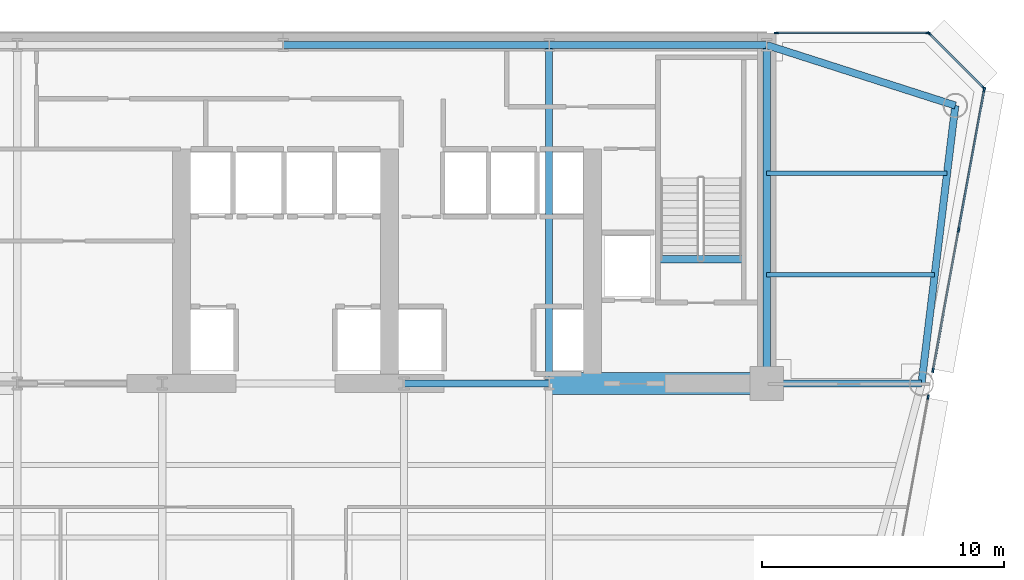
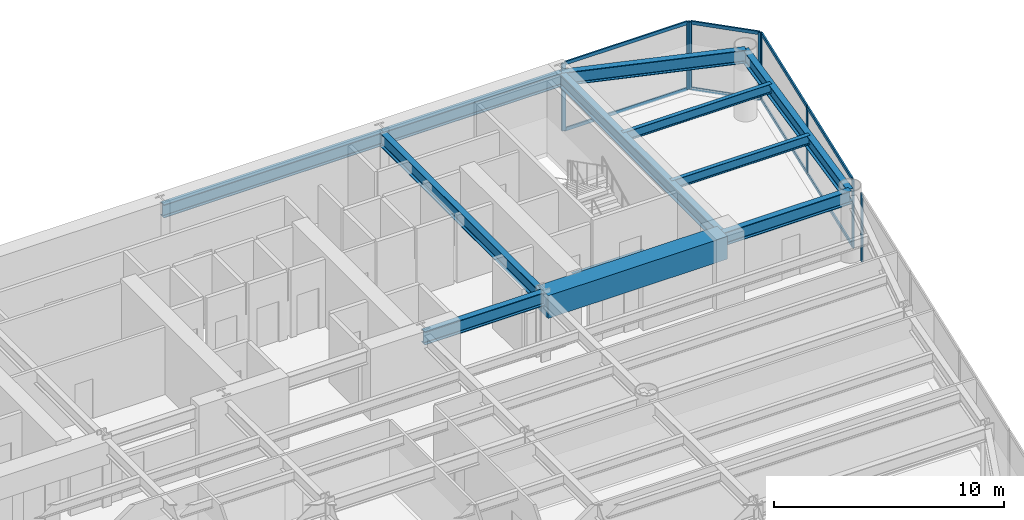
# One storey, part 6 of 14: 16 members, 12 beams, 4 elements without a shape of their own.
"""IFC4 building model written with IfcOpenShell, lengths in metres."""

from ifc_helpers import new_model, si_unit, direction, frame, origin, origin_2d, place, context, subcontext, project, spatial, rectangle, i_section, extrude, source, transform, mapped, material, layer, layer_set, material_profile, profile_set, type_object, element, aggregate, save


model = new_model("IFC4")

# Units and contexts
model_context = context("Model", 3, precision=1e-05, world=origin(), true_north=direction((0.0, 1.0)))
body_context = subcontext(model_context, "Body", "Model", "MODEL_VIEW")
ifc_project = project(units=[si_unit("LENGTHUNIT", "METRE"), si_unit("AREAUNIT", "SQUARE_METRE"), si_unit("VOLUMEUNIT", "CUBIC_METRE"), si_unit("PLANEANGLEUNIT", "RADIAN"), si_unit("MASSUNIT", "GRAM", prefix="KILO")], contexts=[model_context])

# Site, building, storey
site_placement = place(None, origin())
site = spatial("IfcSite", under=ifc_project, at=site_placement, CompositionType="ELEMENT")
building_placement = place(site_placement, origin())
building = spatial("IfcBuilding", under=site, at=building_placement, Name="Vaeldorn Concourse Tower", CompositionType="ELEMENT")
storey_placement = place(building_placement, frame((0.0, 0.0, 107.199951171875)))
storey = spatial("IfcBuildingStorey", under=building, at=storey_placement, Name="L27", CompositionType="ELEMENT", Elevation=107.199951171875)

# Beams
ifc_material_1 = material(Name="Concrete C60/75", Category="concrete")
ifc_material_profile_1 = material_profile(ifc_material_1, rectangle(XDim=0.89990234375, YDim=1.199951171875, at=origin_2d()), Name="RC 900x1200")
ifc_profile_set_1 = profile_set([ifc_material_profile_1], Name="Concrete C60/75")
beam_type_1 = type_object("IfcBeamType", Name="BM-CB-RC900", PredefinedType="BEAM", material=ifc_profile_set_1)
shared_shape_1 = source(origin(), body_context, "Body", "SweptSolid", [
    extrude(rectangle(XDim=0.89990234375, YDim=1.199951171875, at=origin_2d()), origin(), (0.0, 0.0, 1.0), 9.0),
])
beam_1_placement = place(storey_placement, frame((45.0, 36.5, 2.97998046875), z_axis=(1.0, 0.0, 0.0), x_axis=(0.0, 1.0, 0.0)))
element("IfcBeam", 1, at=beam_1_placement, inside=storey, type_object=beam_type_1, Name="Core Coupling Beam L27-2", PredefinedType="BEAM", context=body_context, shape_type="MappedRepresentation", body=[
    mapped(shared_shape_1, transform((0.0, 0.0, 0.0), scale=1.0)),
])
ifc_material_2 = material(Name="Steel S355", Category="steel")
ifc_material_profile_2 = material_profile(ifc_material_2, i_section(OverallWidth=0.300048828125, OverallDepth=0.340087890625, WebThickness=0.011962890625, FlangeThickness=0.021484375, FilletRadius=0.027099609375, at=origin_2d()), Name="HEB 340")
ifc_profile_set_2 = profile_set([ifc_material_profile_2], Name="Steel S355")
beam_type_2 = type_object("IfcBeamType", Name="BM-ST-TRIM", PredefinedType="BEAM", material=ifc_profile_set_2)
shared_shape_2 = source(origin(), body_context, "Body", "SweptSolid", [
    extrude(i_section(OverallWidth=0.300048828125, OverallDepth=0.340087890625, WebThickness=0.011962890625, FlangeThickness=0.021484375, FilletRadius=0.027099609375, at=origin_2d()), origin(), (0.0, 0.0, 1.0), 3.590087890625),
])
beam_2_placement = place(storey_placement, frame((49.47998046875, 41.639892578125, -0.389892578125), z_axis=(1.0, 0.0, 0.0), x_axis=(0.0, 1.0, 0.0)))
element("IfcBeam", 2, at=beam_2_placement, inside=storey, type_object=beam_type_2, Name="Stair Landing Trimmer Beam ST-2 L27", PredefinedType="BEAM", context=body_context, shape_type="MappedRepresentation", body=[
    mapped(shared_shape_2, transform((0.0, 0.0, 0.0), scale=1.0)),
])
ifc_material_profile_3 = material_profile(ifc_material_2, i_section(OverallWidth=0.199951171875, OverallDepth=0.5, WebThickness=0.01025390625, FlangeThickness=0.01611328125, FilletRadius=0.02099609375, at=origin_2d()), Name="IPE 500")
ifc_profile_set_3 = profile_set([ifc_material_profile_3], Name="Steel S355")
beam_type_3 = type_object("IfcBeamType", Name="BM-JS-IPE500", PredefinedType="JOIST", material=ifc_profile_set_3)
shared_shape_3 = source(origin(), body_context, "Body", "SweptSolid", [
    extrude(i_section(OverallWidth=0.199951171875, OverallDepth=0.5, WebThickness=0.01025390625, FlangeThickness=0.01611328125, FilletRadius=0.02099609375, at=origin_2d()), origin(), (0.0, 0.0, 1.0), 6.94775390625),
])
beam_3_placement = place(storey_placement, frame((54.0, 41.0, 3.330078125), z_axis=(1.0, 0.0, 0.0), x_axis=(0.0, 1.0, 0.0)))
element("IfcBeam", 3, at=beam_3_placement, inside=storey, type_object=beam_type_3, Name="Beam JS-L27-NE-410", PredefinedType="JOIST", context=body_context, shape_type="MappedRepresentation", body=[
    mapped(shared_shape_3, transform((0.0, 0.0, 0.0), scale=1.0)),
])
shared_shape_4 = source(origin(), body_context, "Body", "SweptSolid", [
    extrude(i_section(OverallWidth=0.199951171875, OverallDepth=0.5, WebThickness=0.01025390625, FlangeThickness=0.01611328125, FilletRadius=0.02099609375, at=origin_2d()), origin(), (0.0, 0.0, 1.0), 7.458984375),
])
beam_4_placement = place(storey_placement, frame((54.0, 45.199951171875, 3.330078125), z_axis=(1.0, 0.0, 0.0), x_axis=(0.0, 1.0, 0.0)))
element("IfcBeam", 4, at=beam_4_placement, inside=storey, type_object=beam_type_3, Name="Beam JS-L27-NE-452", PredefinedType="JOIST", context=body_context, shape_type="MappedRepresentation", body=[
    mapped(shared_shape_4, transform((0.0, 0.0, 0.0), scale=1.0)),
])
ifc_material_profile_4 = material_profile(ifc_material_2, i_section(OverallWidth=0.300048828125, OverallDepth=0.699951171875, WebThickness=0.01708984375, FlangeThickness=0.031982421875, FilletRadius=0.027099609375, at=origin_2d()), Name="HEB 700")
ifc_profile_set_4 = profile_set([ifc_material_profile_4], Name="Steel S355")
beam_type_4 = type_object("IfcBeamType", Name="BM-PG-HEB700", PredefinedType="BEAM", material=ifc_profile_set_4)
shared_shape_5 = source(origin(), body_context, "Body", "SweptSolid", [
    extrude(i_section(OverallWidth=0.300048828125, OverallDepth=0.699951171875, WebThickness=0.01708984375, FlangeThickness=0.031982421875, FilletRadius=0.027099609375, at=origin_2d()), origin(), (0.0, 0.0, 1.0), 6.0),
])
beam_5_placement = place(storey_placement, frame((39.0, 36.5, 3.22998046875), z_axis=(1.0, 0.0, 0.0), x_axis=(0.0, 1.0, 0.0)))
element("IfcBeam", 5, at=beam_5_placement, inside=storey, type_object=beam_type_4, Name="Beam BM-L27-C-FC4-C-FC5", PredefinedType="BEAM", context=body_context, shape_type="MappedRepresentation", body=[
    mapped(shared_shape_5, transform((0.0, 0.0, 0.0), scale=1.0)),
])
shared_shape_6 = source(origin(), body_context, "Body", "SweptSolid", [
    extrude(i_section(OverallWidth=0.300048828125, OverallDepth=0.699951171875, WebThickness=0.01708984375, FlangeThickness=0.031982421875, FilletRadius=0.027099609375, at=origin_2d()), origin(), (0.0, 0.0, 1.0), 9.0),
])
beam_6_placement = place(storey_placement, frame((45.0, 50.5, 3.22998046875), z_axis=(1.0, 0.0, 0.0), x_axis=(0.0, 1.0, 0.0)))
element("IfcBeam", 6, at=beam_6_placement, inside=storey, type_object=beam_type_4, Name="Beam BM-L27-C-HC4-C-HC5", PredefinedType="BEAM", context=body_context, shape_type="MappedRepresentation", body=[
    mapped(shared_shape_6, transform((0.0, 0.0, 0.0), scale=1.0)),
])
shared_shape_7 = source(origin(), body_context, "Body", "SweptSolid", [
    extrude(i_section(OverallWidth=0.300048828125, OverallDepth=0.699951171875, WebThickness=0.01708984375, FlangeThickness=0.031982421875, FilletRadius=0.027099609375, at=origin_2d()), origin(), (0.0, 0.0, 1.0), 11.0),
])
beam_7_placement = place(storey_placement, frame((34.0, 50.5, 3.22998046875), z_axis=(1.0, 0.0, 0.0), x_axis=(0.0, 1.0, 0.0)))
element("IfcBeam", 7, at=beam_7_placement, inside=storey, type_object=beam_type_4, Name="Beam BM-L27-C-HC3-C-HC4", PredefinedType="BEAM", context=body_context, shape_type="MappedRepresentation", body=[
    mapped(shared_shape_7, transform((0.0, 0.0, 0.0), scale=1.0)),
])
shared_shape_8 = source(origin(), body_context, "Body", "SweptSolid", [
    extrude(i_section(OverallWidth=0.300048828125, OverallDepth=0.699951171875, WebThickness=0.01708984375, FlangeThickness=0.031982421875, FilletRadius=0.027099609375, at=origin_2d()), origin(), (0.0, 0.0, 1.0), 14.0),
])
for number, where, z_axis, x_axis, name in (
    (8, (45.0, 36.5, 3.22998046875), (0.0, 1.0, 0.0), (-1.0, 0.0, 0.0), "Beam BM-L27-C-FC5-C-HC4"),
    (9, (54.0, 36.5, 3.22998046875), (0.0, 1.0, 0.0), (-1.0, 0.0, 0.0), "Beam BM-L27-C-FC6-C-HC5"),
):
    element("IfcBeam", number, at=place(storey_placement, frame(where, z_axis=z_axis, x_axis=x_axis)), inside=storey, type_object=beam_type_4, Name=name, PredefinedType="BEAM", context=body_context, shape_type="MappedRepresentation", body=[
        mapped(shared_shape_8, transform((0.0, 0.0, 0.0), scale=1.0)),
    ])
shared_shape_9 = source(origin(), body_context, "Body", "SweptSolid", [
    extrude(i_section(OverallWidth=0.300048828125, OverallDepth=0.699951171875, WebThickness=0.01708984375, FlangeThickness=0.031982421875, FilletRadius=0.027099609375, at=origin_2d()), origin(), (0.0, 0.0, 1.0), 8.19091796875),
])
beam_8_placement = place(storey_placement, frame((54.0, 50.5, 3.22998046875), z_axis=(0.952282843383, -0.305216949396, 0.0), x_axis=(0.305216949396, 0.952282843383, 0.0)))
element("IfcBeam", 10, at=beam_8_placement, inside=storey, type_object=beam_type_4, Name="Beam BM-L27-C-HC5-C-NE1", PredefinedType="BEAM", context=body_context, shape_type="MappedRepresentation", body=[
    mapped(shared_shape_9, transform((0.0, 0.0, 0.0), scale=1.0)),
])
shared_shape_10 = source(origin(), body_context, "Body", "SweptSolid", [
    extrude(i_section(OverallWidth=0.300048828125, OverallDepth=0.699951171875, WebThickness=0.01708984375, FlangeThickness=0.031982421875, FilletRadius=0.027099609375, at=origin_2d()), origin(), (0.0, 0.0, 1.0), 11.5849609375),
])
beam_9_placement = place(storey_placement, frame((61.800048828125, 48.0, 3.22998046875), z_axis=(-0.120859382899, -0.992669637677, 0.0), x_axis=(0.992669637677, -0.120859382899, 0.0)))
element("IfcBeam", 11, at=beam_9_placement, inside=storey, type_object=beam_type_4, Name="Beam BM-L27-C-NE1-C-NE2", PredefinedType="BEAM", context=body_context, shape_type="MappedRepresentation", body=[
    mapped(shared_shape_10, transform((0.0, 0.0, 0.0), scale=1.0)),
])
shared_shape_11 = source(origin(), body_context, "Body", "SweptSolid", [
    extrude(i_section(OverallWidth=0.300048828125, OverallDepth=0.699951171875, WebThickness=0.01708984375, FlangeThickness=0.031982421875, FilletRadius=0.027099609375, at=origin_2d()), origin(), (0.0, 0.0, 1.0), 6.39990234375),
])
beam_10_placement = place(storey_placement, frame((54.0, 36.5, 3.22998046875), z_axis=(1.0, 0.0, 0.0), x_axis=(0.0, 1.0, 0.0)))
element("IfcBeam", 12, at=beam_10_placement, inside=storey, type_object=beam_type_4, Name="Beam BM-L27-C-FC6-C-NE2", PredefinedType="BEAM", context=body_context, shape_type="MappedRepresentation", body=[
    mapped(shared_shape_11, transform((0.0, 0.0, 0.0), scale=1.0)),
])

# Curtain wall, members
ifc_material_3 = material(Name="Anodised Bronze Aluminium", Category="aluminium")
ifc_layer = layer(ifc_material_3, 0.199951171875)
ifc_layer_set = layer_set([ifc_layer], Name="Anodised Bronze Aluminium")
curtain_wall_type = type_object("IfcCurtainWallType", Name="CW-SYS-02", PredefinedType="NOTDEFINED", material=ifc_layer_set)
curtain_wall_1_placement = place(storey_placement, origin())
curtain_wall_1 = element("IfcCurtainWall", 13, at=curtain_wall_1_placement, inside=storey, type_object=curtain_wall_type, Name="Unitised Curtain Wall CW-L27-E08-1", PredefinedType="NOTDEFINED")
ifc_material_profile_5 = material_profile(ifc_material_3, rectangle(XDim=0.074951171875, YDim=0.179931640625, at=origin_2d()), Name="CWT 75x180")
ifc_profile_set_5 = profile_set([ifc_material_profile_5], Name="Anodised Bronze Aluminium")
member_type_1 = type_object("IfcMemberType", Name="CWT-BRONZE-180", PredefinedType="USERDEFINED", material=ifc_profile_set_5)
shared_shape_12 = source(origin(), body_context, "Body", "SweptSolid", [
    extrude(rectangle(XDim=0.074951171875, YDim=0.179931640625, at=origin_2d()), origin(), (0.0, 0.0, 1.0), 3.10302734375),
])
member_1_placement = place(storey_placement, frame((62.947021484375, 48.7529296875, 0.03759765625), z_axis=(-0.707106781187, 0.707106781187, 0.0), x_axis=(-0.707106781187, -0.707106781187, 0.0)))
member_1 = element("IfcMember", 14, at=member_1_placement, type_object=member_type_1, Name="CW-02 transom 1.1", ObjectType="TRANSOM", PredefinedType="USERDEFINED", context=body_context, shape_type="MappedRepresentation", body=[
    mapped(shared_shape_12, transform((0.0, 0.0, 0.0), scale=1.0)),
])
member_2_placement = place(storey_placement, frame((62.947021484375, 48.7529296875, 3.54248046875), z_axis=(-0.707106781187, 0.707106781187, 0.0), x_axis=(-0.707106781187, -0.707106781187, 0.0)))
member_2 = element("IfcMember", 15, at=member_2_placement, type_object=member_type_1, Name="CW-02 transom 1.2", ObjectType="TRANSOM", PredefinedType="USERDEFINED", context=body_context, shape_type="MappedRepresentation", body=[
    mapped(shared_shape_12, transform((0.0, 0.0, 0.0), scale=1.0)),
])

# Curtain wall, member
curtain_wall_2_placement = place(storey_placement, origin())
curtain_wall_2 = element("IfcCurtainWall", 16, at=curtain_wall_2_placement, inside=storey, type_object=curtain_wall_type, Name="Unitised Curtain Wall CW-L27-E07-1", PredefinedType="NOTDEFINED")
ifc_material_profile_6 = material_profile(ifc_material_3, rectangle(XDim=0.074951171875, YDim=0.18994140625, at=origin_2d()), Name="CWM 75x190")
ifc_profile_set_6 = profile_set([ifc_material_profile_6], Name="Anodised Bronze Aluminium")
member_type_2 = type_object("IfcMemberType", Name="CWM-BRONZE-190", PredefinedType="MULLION", material=ifc_profile_set_6)
shared_shape_13 = source(origin(), body_context, "Body", "SweptSolid", [
    extrude(rectangle(XDim=0.074951171875, YDim=0.18994140625, at=origin_2d()), origin(), (0.0, 0.0, 1.0), 3.580078125),
])
member_3_placement = place(storey_placement, frame((60.675537109375, 35.945068359375, 0.0), z_axis=(0.0, 0.0, 1.0), x_axis=(-0.983795727872, 0.179292960877, 0.0)))
member_3 = element("IfcMember", 17, at=member_3_placement, type_object=member_type_2, Name="CW-02 mullion 6", PredefinedType="MULLION", context=body_context, shape_type="MappedRepresentation", body=[
    mapped(shared_shape_13, transform((0.0, 0.0, 0.0), scale=1.0)),
])
aggregate(curtain_wall_2, [member_3])

# Curtain wall, members
curtain_wall_3_placement = place(storey_placement, origin())
curtain_wall_3 = element("IfcCurtainWall", 18, at=curtain_wall_3_placement, inside=storey, type_object=curtain_wall_type, Name="Unitised Curtain Wall CW-L27-E07-2", PredefinedType="NOTDEFINED")
member_4_placement = place(storey_placement, frame((60.877685546875, 37.054931640625, 0.0), z_axis=(0.0, 0.0, 1.0), x_axis=(-0.983795716764, 0.179293021832, 0.0)))
member_4 = element("IfcMember", 19, at=member_4_placement, type_object=member_type_2, Name="CW-02 mullion 1", PredefinedType="MULLION", context=body_context, shape_type="MappedRepresentation", body=[
    mapped(shared_shape_13, transform((0.0, 0.0, 0.0), scale=1.0)),
])
member_5_placement = place(storey_placement, frame((61.935546875, 42.85888671875, 0.0), z_axis=(0.0, 0.0, 1.0), x_axis=(-0.983795716764, 0.179293021832, 0.0)))
member_5 = element("IfcMember", 20, at=member_5_placement, type_object=member_type_2, Name="CW-02 mullion 2", PredefinedType="MULLION", context=body_context, shape_type="MappedRepresentation", body=[
    mapped(shared_shape_13, transform((0.0, 0.0, 0.0), scale=1.0)),
])
member_6_placement = place(storey_placement, frame((62.9931640625, 48.6630859375, 0.0), z_axis=(0.0, 0.0, 1.0), x_axis=(-0.983795716764, 0.179293021832, 0.0)))
member_6 = element("IfcMember", 21, at=member_6_placement, type_object=member_type_2, Name="CW-02 mullion 3", PredefinedType="MULLION", context=body_context, shape_type="MappedRepresentation", body=[
    mapped(shared_shape_13, transform((0.0, 0.0, 0.0), scale=1.0)),
])

# Member
member_7_placement = place(storey_placement, frame((62.973388671875, 48.7265625, 0.0), z_axis=(0.0, 0.0, 1.0), x_axis=(-0.707106781187, -0.707106781187, 0.0)))
member_7 = element("IfcMember", 22, at=member_7_placement, type_object=member_type_2, Name="CW-02 mullion 1", PredefinedType="MULLION", context=body_context, shape_type="MappedRepresentation", body=[
    mapped(shared_shape_13, transform((0.0, 0.0, 0.0), scale=1.0)),
])

member_8_placement = place(storey_placement, frame((60.7265625, 50.973388671875, 0.0), z_axis=(0.0, 0.0, 1.0), x_axis=(-0.707106781187, -0.707106781187, 0.0)))
member_8 = element("IfcMember", 23, at=member_8_placement, type_object=member_type_2, Name="CW-02 mullion 2", PredefinedType="MULLION", context=body_context, shape_type="MappedRepresentation", body=[
    mapped(shared_shape_13, transform((0.0, 0.0, 0.0), scale=1.0)),
])

aggregate(curtain_wall_1, [member_7, member_8, member_1, member_2])

# Curtain wall, members
curtain_wall_4_placement = place(storey_placement, origin())
curtain_wall_4 = element("IfcCurtainWall", 24, at=curtain_wall_4_placement, inside=storey, type_object=curtain_wall_type, Name="Unitised Curtain Wall CW-L27-E09-1", PredefinedType="NOTDEFINED")
member_9_placement = place(storey_placement, frame((60.66259765625, 51.0, 0.0), z_axis=(0.0, 0.0, 1.0), x_axis=(0.0, -1.0, 0.0)))
member_9 = element("IfcMember", 25, at=member_9_placement, type_object=member_type_2, Name="CW-02 mullion 1", PredefinedType="MULLION", context=body_context, shape_type="MappedRepresentation", body=[
    mapped(shared_shape_13, transform((0.0, 0.0, 0.0), scale=1.0)),
])
member_10_placement = place(storey_placement, frame((54.407470703125, 51.0, 0.0), z_axis=(0.0, 0.0, 1.0), x_axis=(0.0, -1.0, 0.0)))
member_10 = element("IfcMember", 26, at=member_10_placement, type_object=member_type_2, Name="CW-02 mullion 2", PredefinedType="MULLION", context=body_context, shape_type="MappedRepresentation", body=[
    mapped(shared_shape_13, transform((0.0, 0.0, 0.0), scale=1.0)),
])
shared_shape_14 = source(origin(), body_context, "Body", "SweptSolid", [
    extrude(rectangle(XDim=0.074951171875, YDim=0.179931640625, at=origin_2d()), origin(), (0.0, 0.0, 1.0), 6.179931640625),
])
member_11_placement = place(storey_placement, frame((60.625, 51.0, 0.03759765625), z_axis=(-1.0, 0.0, 0.0), x_axis=(0.0, -1.0, 0.0)))
member_11 = element("IfcMember", 27, at=member_11_placement, type_object=member_type_1, Name="CW-02 transom 1.1", ObjectType="TRANSOM", PredefinedType="USERDEFINED", context=body_context, shape_type="MappedRepresentation", body=[
    mapped(shared_shape_14, transform((0.0, 0.0, 0.0), scale=1.0)),
])
member_12_placement = place(storey_placement, frame((60.625, 51.0, 3.54248046875), z_axis=(-1.0, 0.0, 0.0), x_axis=(0.0, -1.0, 0.0)))
member_12 = element("IfcMember", 28, at=member_12_placement, type_object=member_type_1, Name="CW-02 transom 1.2", ObjectType="TRANSOM", PredefinedType="USERDEFINED", context=body_context, shape_type="MappedRepresentation", body=[
    mapped(shared_shape_14, transform((0.0, 0.0, 0.0), scale=1.0)),
])
aggregate(curtain_wall_4, [member_9, member_10, member_11, member_12])

# Member
shared_shape_15 = source(origin(), body_context, "Body", "SweptSolid", [
    extrude(rectangle(XDim=0.074951171875, YDim=0.179931640625, at=origin_2d()), origin(), (0.0, 0.0, 1.0), 5.82470703125),
])
member_13_placement = place(storey_placement, frame((60.884521484375, 37.091796875, 0.03759765625), z_axis=(0.179272723842, 0.983799415779, 0.0), x_axis=(-0.983799415779, 0.179272723842, 0.0)))
member_13 = element("IfcMember", 29, at=member_13_placement, type_object=member_type_1, Name="CW-02 transom 1.1", ObjectType="TRANSOM", PredefinedType="USERDEFINED", context=body_context, shape_type="MappedRepresentation", body=[
    mapped(shared_shape_15, transform((0.0, 0.0, 0.0), scale=1.0)),
])

member_14_placement = place(storey_placement, frame((60.884521484375, 37.091796875, 3.54248046875), z_axis=(0.179272723842, 0.983799415779, 0.0), x_axis=(-0.983799415779, 0.179272723842, 0.0)))
member_14 = element("IfcMember", 30, at=member_14_placement, type_object=member_type_1, Name="CW-02 transom 1.2", ObjectType="TRANSOM", PredefinedType="USERDEFINED", context=body_context, shape_type="MappedRepresentation", body=[
    mapped(shared_shape_15, transform((0.0, 0.0, 0.0), scale=1.0)),
])

member_15_placement = place(storey_placement, frame((61.942138671875, 42.89599609375, 0.03759765625), z_axis=(0.179313291804, 0.983792022423, 0.0), x_axis=(-0.983792022423, 0.179313291804, 0.0)))
member_15 = element("IfcMember", 31, at=member_15_placement, type_object=member_type_1, Name="CW-02 transom 2.1", ObjectType="TRANSOM", PredefinedType="USERDEFINED", context=body_context, shape_type="MappedRepresentation", body=[
    mapped(shared_shape_15, transform((0.0, 0.0, 0.0), scale=1.0)),
])

member_16_placement = place(storey_placement, frame((61.942138671875, 42.89599609375, 3.54248046875), z_axis=(0.179313291804, 0.983792022423, 0.0), x_axis=(-0.983792022423, 0.179313291804, 0.0)))
member_16 = element("IfcMember", 32, at=member_16_placement, type_object=member_type_1, Name="CW-02 transom 2.2", ObjectType="TRANSOM", PredefinedType="USERDEFINED", context=body_context, shape_type="MappedRepresentation", body=[
    mapped(shared_shape_15, transform((0.0, 0.0, 0.0), scale=1.0)),
])

aggregate(curtain_wall_3, [member_4, member_5, member_6, member_13, member_14, member_15, member_16])

save(model, "model.ifc")
